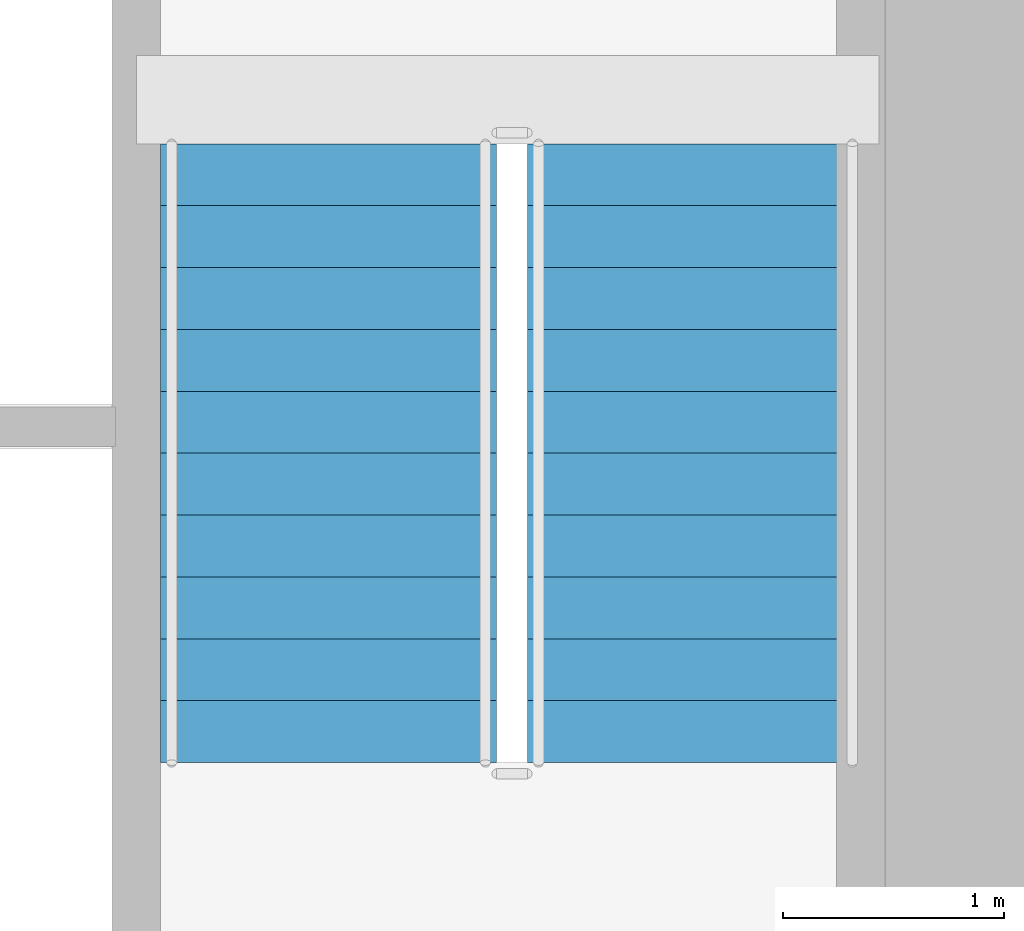
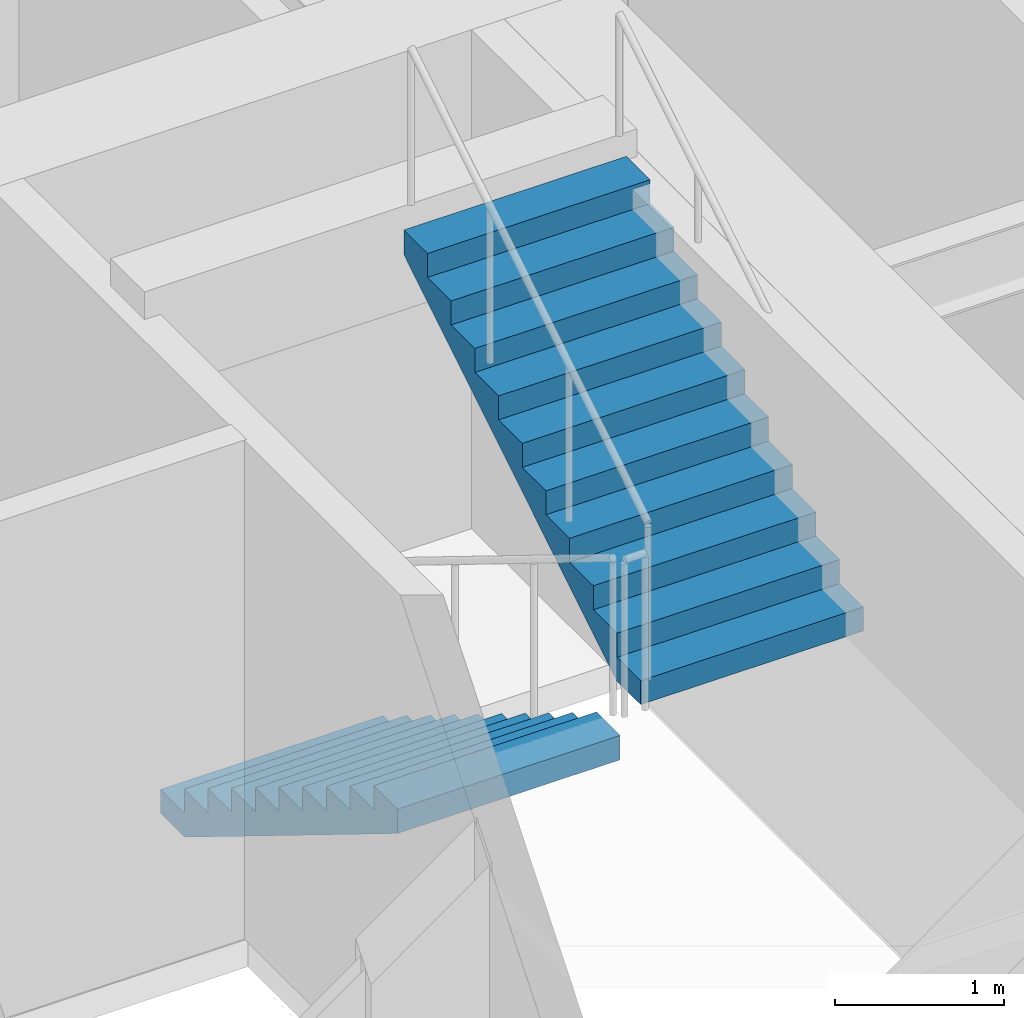
# One storey, part 11 of 14: 2 stair flights, 1 element without a shape of its own.
"""IFC4 building model written with IfcOpenShell, lengths in metres."""

import ifcopenshell
import ifcopenshell.guid

model = None  # the IFC model being written
_history = None  # IfcOwnerHistory: only IFC2X3 demands one
_inside = {}  # id of a spatial element -> (the spatial element, [elements in it])
_under = {}  # id of a project, library or spatial element -> (it, [spatial elements below it])
_declared = {}  # id of a project -> (the project, [libraries it declares])
_typed = {}  # id of a type object -> (the type object, [elements of that type])
_made_of = {}  # id of a material, layer set ... -> (it, [elements and type objects made of it])


def new_model(schema):
    """Start an empty IFC model of exactly this schema.

    Asked for "IFC4X3", IfcOpenShell would pick the latest addendum, in which some entities
    have other attributes; the version numbers below select the first issue.
    IFC2X3 requires an IfcOwnerHistory on every rooted entity: one is made here for all.
    """
    global model, _history
    if schema == "IFC4X3":
        model = ifcopenshell.file(schema_version=(4, 3, 0, 0))
    else:
        model = ifcopenshell.file(schema=schema)
    _inside.clear()
    _under.clear()
    _declared.clear()
    _typed.clear()
    _made_of.clear()
    _history = None
    if model.schema == "IFC2X3":
        org = make("IfcOrganization", Name="unknown")
        user = make(
            "IfcPersonAndOrganization",
            ThePerson=make("IfcPerson", FamilyName="unknown"),
            TheOrganization=org,
        )
        app = make(
            "IfcApplication",
            ApplicationDeveloper=org,
            Version="unknown",
            ApplicationFullName="unknown",
            ApplicationIdentifier="unknown",
        )
        _history = make(
            "IfcOwnerHistory",
            OwningUser=user,
            OwningApplication=app,
            ChangeAction="ADDED",
            CreationDate=0,
        )
    return model


def make(cls, **values):
    """One entity of the class cls with the attributes given. An attribute that is None is left unset."""
    return model.create_entity(
        cls, **{name: value for name, value in values.items() if value is not None}
    )


def rooted(cls, **values):
    """An entity with a GlobalId (a new one), such as an element, a storey or a relation."""
    return make(cls, GlobalId=ifcopenshell.guid.new(), OwnerHistory=_history, **values)


def si_unit(unit_type, name, prefix=None):
    """IfcSIUnit, for example si_unit("LENGTHUNIT", "METRE", prefix="MILLI")."""
    return make("IfcSIUnit", UnitType=unit_type, Prefix=prefix, Name=name)


def assignment(units):
    """IfcUnitAssignment: the units of a project."""
    return None if units is None else make("IfcUnitAssignment", Units=units)


def point(xyz):
    """IfcCartesianPoint."""
    return None if xyz is None else make("IfcCartesianPoint", Coordinates=xyz)


def direction(xyz):
    """IfcDirection."""
    return None if xyz is None else make("IfcDirection", DirectionRatios=xyz)


def frame(location, z_axis=None, x_axis=None):
    """IfcAxis2Placement3D, a coordinate frame: its origin and axes. An axis left out is left unset."""
    return make(
        "IfcAxis2Placement3D",
        Location=point(location),
        Axis=direction(z_axis),
        RefDirection=direction(x_axis),
    )


def origin():
    """The frame at (0, 0, 0) with its axes left unset."""
    return frame((0.0, 0.0, 0.0))


def place(relative_to, where):
    """IfcLocalPlacement: puts the frame where relative to a parent placement (None: the world)."""
    return make(
        "IfcLocalPlacement", PlacementRelTo=relative_to, RelativePlacement=where
    )


def context(
    kind, dimensions, precision=None, world=None, true_north=None, identifier=None
):
    """IfcGeometricRepresentationContext, for example the 3D "Model" context."""
    return make(
        "IfcGeometricRepresentationContext",
        ContextIdentifier=identifier,
        ContextType=kind,
        CoordinateSpaceDimension=dimensions,
        Precision=precision,
        WorldCoordinateSystem=world,
        TrueNorth=true_north,
    )


def subcontext(parent, identifier, kind, view, scale=None):
    """IfcGeometricRepresentationSubContext, for example "Body" below "Model"."""
    return make(
        "IfcGeometricRepresentationSubContext",
        ContextIdentifier=identifier,
        ContextType=kind,
        ParentContext=parent,
        TargetScale=scale,
        TargetView=view,
    )


def project(units=None, contexts=None):
    """IfcProject with its units and contexts."""
    return rooted(
        "IfcProject",
        Name="project",
        RepresentationContexts=contexts,
        UnitsInContext=assignment(units),
    )


def spatial(cls, under=None, at=None, **own):
    """A site, building, storey or space (cls), placed at a placement, below another one or the project."""
    s = rooted(cls, ObjectPlacement=at, **own)
    if under is not None:
        _under.setdefault(under.id(), (under, []))[1].append(s)
    return s


def polyline(points):
    """IfcPolyline through the points."""
    return make("IfcPolyline", Points=[point(p) for p in points])


def outline(outer, holes=None, kind="AREA"):
    """IfcArbitraryClosedProfileDef: a profile drawn as a closed curve; with holes, ...WithVoids."""
    if holes is None:
        return make("IfcArbitraryClosedProfileDef", ProfileType=kind, OuterCurve=outer)
    return make(
        "IfcArbitraryProfileDefWithVoids",
        ProfileType=kind,
        OuterCurve=outer,
        InnerCurves=holes,
    )


def extrude(swept, where, along, depth):
    """IfcExtrudedAreaSolid: the profile swept, set in the frame where, extruded along a direction by depth."""
    return make(
        "IfcExtrudedAreaSolid",
        SweptArea=swept,
        Position=where,
        ExtrudedDirection=direction(along),
        Depth=depth,
    )


def shape(context_of_items, identifier, shape_type, items):
    """IfcShapeRepresentation: the items that make up one representation, for example the "Body"."""
    return make(
        "IfcShapeRepresentation",
        ContextOfItems=context_of_items,
        RepresentationIdentifier=identifier,
        RepresentationType=shape_type,
        Items=items,
    )


def material(Name=None, Category=None):
    """IfcMaterial."""
    return make("IfcMaterial", Name=Name, Category=Category)


def made_of(thing, what):
    """Note that an element or type object is made of a material, layer set ...; save() writes the relation."""
    if what is not None:
        _made_of.setdefault(what.id(), (what, []))[1].append(thing)
    return thing


def type_object(cls, material=None, **own):
    """A type object (cls), such as IfcWallType, which elements share."""
    return made_of(rooted(cls, **own), material)


def element(
    cls,
    number,
    at=None,
    inside=None,
    cuts=None,
    type_object=None,
    material=None,
    context=None,
    identifier="Body",
    shape_type=None,
    held_by="IfcProductDefinitionShape",
    body=None,
    shapes=None,
    **own,
):
    """One element of the class cls, such as IfcWall. Its Tag is "e" and its number.

    at: its placement. inside: the storey or other place that contains it. cuts: it is an
    opening in that element (IfcRelVoidsElement). A single representation is given by context,
    identifier, shape_type and body (its items); several are given by shapes. held_by: the class
    of the entity that holds the representations. save() writes the other relations.
    """
    e = rooted(cls, Tag="e%d" % number, ObjectPlacement=at, **own)
    if body is not None:
        shapes = [shape(context, identifier, shape_type, body)]
    if shapes is not None:
        e.Representation = make(held_by, Representations=shapes)
    if inside is not None:
        _inside.setdefault(inside.id(), (inside, []))[1].append(e)
    if cuts is not None:
        rooted(
            "IfcRelVoidsElement", RelatingBuildingElement=cuts, RelatedOpeningElement=e
        )
    if type_object is not None:
        _typed.setdefault(type_object.id(), (type_object, []))[1].append(e)
    return made_of(e, material)


def aggregate(whole, parts):
    """IfcRelAggregates: a whole, such as a stair, and the parts it consists of."""
    return rooted("IfcRelAggregates", RelatingObject=whole, RelatedObjects=parts)


def save(model, path):
    """Write the relations noted so far, then the file.

    IfcRelAggregates (storeys below a building ...), IfcRelContainedInSpatialStructure (elements
    in a storey), IfcRelDefinesByType, IfcRelAssociatesMaterial and IfcRelDeclares: one each for
    every whole, place, type object, material and project.
    """
    for whole, parts in _under.values():
        aggregate(whole, parts)
    for where, things in _inside.values():
        rooted(
            "IfcRelContainedInSpatialStructure",
            RelatedElements=things,
            RelatingStructure=where,
        )
    for kind, things in _typed.values():
        rooted("IfcRelDefinesByType", RelatedObjects=things, RelatingType=kind)
    for what, things in _made_of.values():
        rooted("IfcRelAssociatesMaterial", RelatedObjects=things, RelatingMaterial=what)
    for by, libraries in _declared.values():
        rooted("IfcRelDeclares", RelatingContext=by, RelatedDefinitions=libraries)
    model.write(path)


model = new_model("IFC4")

# Units and contexts
model_context = context("Model", 3, precision=1e-05, world=origin(), true_north=direction((0.0, 1.0)))
body_context = subcontext(model_context, "Body", "Model", "MODEL_VIEW")
ifc_project = project(units=[si_unit("LENGTHUNIT", "METRE"), si_unit("AREAUNIT", "SQUARE_METRE"), si_unit("VOLUMEUNIT", "CUBIC_METRE"), si_unit("PLANEANGLEUNIT", "RADIAN"), si_unit("MASSUNIT", "GRAM", prefix="KILO")], contexts=[model_context])

# Site, building, storey
site_placement = place(None, origin())
site = spatial("IfcSite", under=ifc_project, at=site_placement, CompositionType="ELEMENT")
building_placement = place(site_placement, origin())
building = spatial("IfcBuilding", under=site, at=building_placement, Name="Haolan Belvedere Tower", CompositionType="ELEMENT")
storey_placement = place(building_placement, frame((0.0, 0.0, 98.39990234375)))
storey = spatial("IfcBuildingStorey", under=building, at=storey_placement, Name="L24", CompositionType="ELEMENT", Elevation=98.39990234375)

# Stair, stair flights
ifc_material = material(Name="Concrete C40/50", Category="concrete")
stair_type = type_object("IfcStairType", Name="STR-DL-22R-173", PredefinedType="HALF_TURN_STAIR", material=ifc_material)
stair_placement = place(storey_placement, origin())
stair = element("IfcStair", 1, at=stair_placement, inside=storey, type_object=stair_type, Name="L24 Smokeproof Core Exit Stair ST2", PredefinedType="HALF_TURN_STAIR")
stair_flight_type = type_object("IfcStairFlightType", Name="SFL-DL-11R-173", PredefinedType="STRAIGHT", material=ifc_material)
stair_flight_1_placement = place(storey_placement, frame((43.929931640625, 41.22998046875, 0.0), z_axis=(0.0, 0.0, 1.0), x_axis=(0.0, -1.0, 0.0)))
stair_flight_1 = element("IfcStairFlight", 2, at=stair_flight_1_placement, type_object=stair_flight_type, Name="ST2 flight 1", NumberOfRisers=11, NumberOfTreads=10, PredefinedType="STRAIGHT", RiserHeight=0.172727273, TreadLength=0.28, context=body_context, shape_type="SweptSolid", body=[
    extrude(outline(polyline([(0.0, 0.0), (0.0, 0.172607421875), (0.280029296875, 0.172607421875), (0.280029296875, 0.345458984375), (0.56005859375, 0.345458984375), (0.56005859375, 0.51806640625), (0.840087890625, 0.51806640625), (0.840087890625, 0.69091796875), (1.1201171875, 0.69091796875), (1.1201171875, 0.863525390625), (1.39990234375, 0.863525390625), (1.39990234375, 1.036376953125), (1.679931640625, 1.036376953125), (1.679931640625, 1.208984375), (1.9599609375, 1.208984375), (1.9599609375, 1.3818359375), (2.239990234375, 1.3818359375), (2.239990234375, 1.554443359375), (2.52001953125, 1.554443359375), (2.52001953125, 1.727294921875), (2.800048828125, 1.727294921875), (2.800048828125, 1.89990234375), (2.800048828125, 1.551025390625), (0.285400390625, 0.0), (0.0, 0.0)])), frame((0.0, 0.760009765625, 0.0), z_axis=(0.0, -1.0, 0.0), x_axis=(1.0, 0.0, 0.0)), (0.0, 0.0, 1.0), 1.52001953125),
])
stair_flight_2_placement = place(storey_placement, frame((45.590087890625, 38.429931640625, 1.900146484375), z_axis=(0.0, 0.0, 1.0), x_axis=(0.0, 1.0, 0.0)))
stair_flight_2 = element("IfcStairFlight", 3, at=stair_flight_2_placement, type_object=stair_flight_type, Name="ST2 flight 2", NumberOfRisers=11, NumberOfTreads=10, PredefinedType="STRAIGHT", RiserHeight=0.172727273, TreadLength=0.28, context=body_context, shape_type="SweptSolid", body=[
    extrude(outline(polyline([(0.0, 0.0), (0.0, 0.172607421875), (0.280029296875, 0.172607421875), (0.280029296875, 0.345458984375), (0.56005859375, 0.345458984375), (0.56005859375, 0.51806640625), (0.840087890625, 0.51806640625), (0.840087890625, 0.69091796875), (1.1201171875, 0.69091796875), (1.1201171875, 0.863525390625), (1.39990234375, 0.863525390625), (1.39990234375, 1.036376953125), (1.679931640625, 1.036376953125), (1.679931640625, 1.208984375), (1.9599609375, 1.208984375), (1.9599609375, 1.3818359375), (2.239990234375, 1.3818359375), (2.239990234375, 1.554443359375), (2.52001953125, 1.554443359375), (2.52001953125, 1.727294921875), (2.800048828125, 1.727294921875), (2.800048828125, 1.89990234375), (2.800048828125, 1.551025390625), (0.285400390625, 0.0), (0.0, 0.0)])), frame((0.0, 0.760009765625, 0.0), z_axis=(0.0, -1.0, 0.0), x_axis=(1.0, 0.0, 0.0)), (0.0, 0.0, 1.0), 1.52001953125),
])
aggregate(stair, [stair_flight_1, stair_flight_2])

save(model, "model.ifc")
